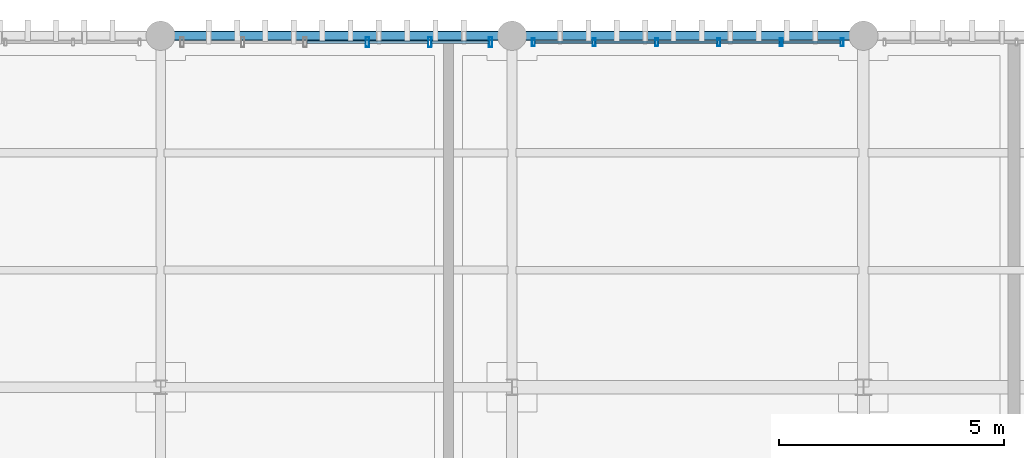
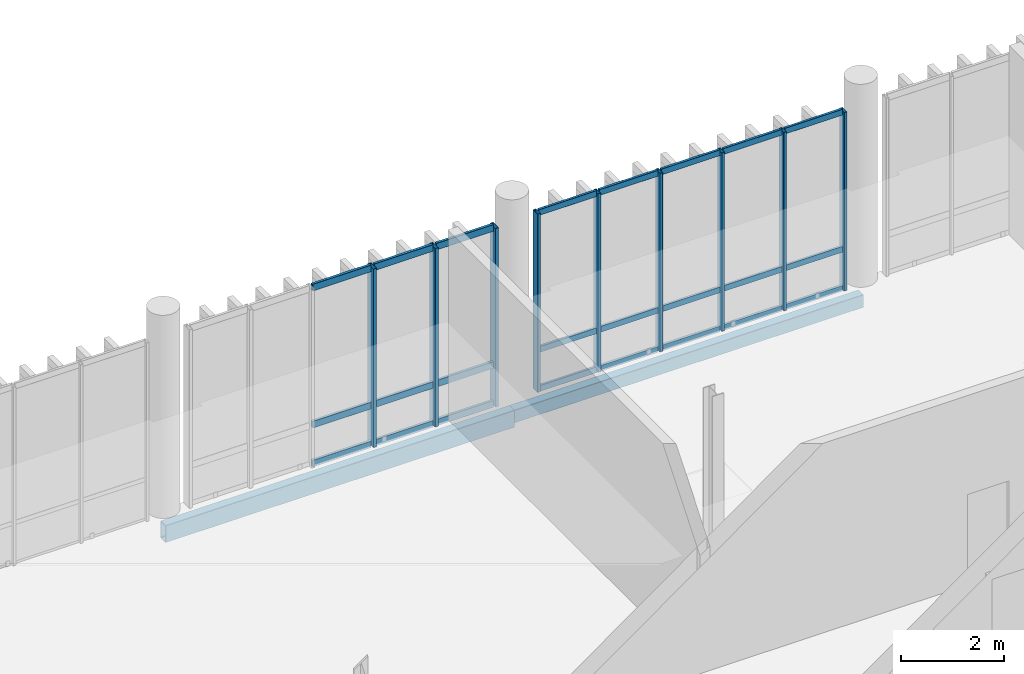
# One storey, part 56 of 86: 33 members, 2 beams, 2 elements without a shape of their own.
"""IFC4 building model written with IfcOpenShell, lengths in metres."""

import ifcopenshell
import ifcopenshell.guid

model = None  # the IFC model being written
_history = None  # IfcOwnerHistory: only IFC2X3 demands one
_inside = {}  # id of a spatial element -> (the spatial element, [elements in it])
_under = {}  # id of a project, library or spatial element -> (it, [spatial elements below it])
_declared = {}  # id of a project -> (the project, [libraries it declares])
_typed = {}  # id of a type object -> (the type object, [elements of that type])
_made_of = {}  # id of a material, layer set ... -> (it, [elements and type objects made of it])


def new_model(schema):
    """Start an empty IFC model of exactly this schema.

    Asked for "IFC4X3", IfcOpenShell would pick the latest addendum, in which some entities
    have other attributes; the version numbers below select the first issue.
    IFC2X3 requires an IfcOwnerHistory on every rooted entity: one is made here for all.
    """
    global model, _history
    if schema == "IFC4X3":
        model = ifcopenshell.file(schema_version=(4, 3, 0, 0))
    else:
        model = ifcopenshell.file(schema=schema)
    _inside.clear()
    _under.clear()
    _declared.clear()
    _typed.clear()
    _made_of.clear()
    _history = None
    if model.schema == "IFC2X3":
        org = make("IfcOrganization", Name="unknown")
        user = make(
            "IfcPersonAndOrganization",
            ThePerson=make("IfcPerson", FamilyName="unknown"),
            TheOrganization=org,
        )
        app = make(
            "IfcApplication",
            ApplicationDeveloper=org,
            Version="unknown",
            ApplicationFullName="unknown",
            ApplicationIdentifier="unknown",
        )
        _history = make(
            "IfcOwnerHistory",
            OwningUser=user,
            OwningApplication=app,
            ChangeAction="ADDED",
            CreationDate=0,
        )
    return model


def make(cls, **values):
    """One entity of the class cls with the attributes given. An attribute that is None is left unset."""
    return model.create_entity(
        cls, **{name: value for name, value in values.items() if value is not None}
    )


def rooted(cls, **values):
    """An entity with a GlobalId (a new one), such as an element, a storey or a relation."""
    return make(cls, GlobalId=ifcopenshell.guid.new(), OwnerHistory=_history, **values)


def si_unit(unit_type, name, prefix=None):
    """IfcSIUnit, for example si_unit("LENGTHUNIT", "METRE", prefix="MILLI")."""
    return make("IfcSIUnit", UnitType=unit_type, Prefix=prefix, Name=name)


def assignment(units):
    """IfcUnitAssignment: the units of a project."""
    return None if units is None else make("IfcUnitAssignment", Units=units)


def point(xyz):
    """IfcCartesianPoint."""
    return None if xyz is None else make("IfcCartesianPoint", Coordinates=xyz)


def direction(xyz):
    """IfcDirection."""
    return None if xyz is None else make("IfcDirection", DirectionRatios=xyz)


def frame(location, z_axis=None, x_axis=None):
    """IfcAxis2Placement3D, a coordinate frame: its origin and axes. An axis left out is left unset."""
    return make(
        "IfcAxis2Placement3D",
        Location=point(location),
        Axis=direction(z_axis),
        RefDirection=direction(x_axis),
    )


def frame_2d(location, x_axis=None):
    """IfcAxis2Placement2D, a coordinate frame in the plane: its origin and x axis."""
    return make(
        "IfcAxis2Placement2D", Location=point(location), RefDirection=direction(x_axis)
    )


def origin_with_axes():
    """The frame at (0, 0, 0) with the z axis (0, 0, 1) and the x axis (1, 0, 0) written out."""
    return frame((0.0, 0.0, 0.0), z_axis=(0.0, 0.0, 1.0), x_axis=(1.0, 0.0, 0.0))


def origin_2d_with_axis():
    """The frame at (0, 0) in the plane with the x axis (1, 0) written out."""
    return frame_2d((0.0, 0.0), x_axis=(1.0, 0.0))


def place(relative_to, where):
    """IfcLocalPlacement: puts the frame where relative to a parent placement (None: the world)."""
    return make(
        "IfcLocalPlacement", PlacementRelTo=relative_to, RelativePlacement=where
    )


def context(
    kind, dimensions, precision=None, world=None, true_north=None, identifier=None
):
    """IfcGeometricRepresentationContext, for example the 3D "Model" context."""
    return make(
        "IfcGeometricRepresentationContext",
        ContextIdentifier=identifier,
        ContextType=kind,
        CoordinateSpaceDimension=dimensions,
        Precision=precision,
        WorldCoordinateSystem=world,
        TrueNorth=true_north,
    )


def subcontext(parent, identifier, kind, view, scale=None):
    """IfcGeometricRepresentationSubContext, for example "Body" below "Model"."""
    return make(
        "IfcGeometricRepresentationSubContext",
        ContextIdentifier=identifier,
        ContextType=kind,
        ParentContext=parent,
        TargetScale=scale,
        TargetView=view,
    )


def project(units=None, contexts=None):
    """IfcProject with its units and contexts."""
    return rooted(
        "IfcProject",
        Name="project",
        RepresentationContexts=contexts,
        UnitsInContext=assignment(units),
    )


def spatial(cls, under=None, at=None, **own):
    """A site, building, storey or space (cls), placed at a placement, below another one or the project."""
    s = rooted(cls, ObjectPlacement=at, **own)
    if under is not None:
        _under.setdefault(under.id(), (under, []))[1].append(s)
    return s


def profile(cls, at=None, kind="AREA", **sizes):
    """A parametric profile (cls). Its sizes go by their IFC names, for example OverallWidth=200.0."""
    return make(cls, ProfileType=kind, Position=at, **sizes)


def hollow_rectangle(**sizes):
    """IfcRectangleHollowProfileDef."""
    return profile("IfcRectangleHollowProfileDef", **sizes)


def extrude(swept, where, along, depth):
    """IfcExtrudedAreaSolid: the profile swept, set in the frame where, extruded along a direction by depth."""
    return make(
        "IfcExtrudedAreaSolid",
        SweptArea=swept,
        Position=where,
        ExtrudedDirection=direction(along),
        Depth=depth,
    )


def shape(context_of_items, identifier, shape_type, items):
    """IfcShapeRepresentation: the items that make up one representation, for example the "Body"."""
    return make(
        "IfcShapeRepresentation",
        ContextOfItems=context_of_items,
        RepresentationIdentifier=identifier,
        RepresentationType=shape_type,
        Items=items,
    )


def material(Name=None, Category=None):
    """IfcMaterial."""
    return make("IfcMaterial", Name=Name, Category=Category)


def material_profile(
    of_material, cross_section, Name=None, Category=None, Priority=None
):
    """IfcMaterialProfile: a cross section and its material."""
    return make(
        "IfcMaterialProfile",
        Name=Name,
        Material=of_material,
        Profile=cross_section,
        Priority=Priority,
        Category=Category,
    )


def profile_set(profiles, Name=None, composite=None):
    """IfcMaterialProfileSet."""
    return make(
        "IfcMaterialProfileSet",
        Name=Name,
        MaterialProfiles=profiles,
        CompositeProfile=composite,
    )


def made_of(thing, what):
    """Note that an element or type object is made of a material, layer set ...; save() writes the relation."""
    if what is not None:
        _made_of.setdefault(what.id(), (what, []))[1].append(thing)
    return thing


def type_object(cls, material=None, **own):
    """A type object (cls), such as IfcWallType, which elements share."""
    return made_of(rooted(cls, **own), material)


def element(
    cls,
    number,
    at=None,
    inside=None,
    cuts=None,
    type_object=None,
    material=None,
    context=None,
    identifier="Body",
    shape_type=None,
    held_by="IfcProductDefinitionShape",
    body=None,
    shapes=None,
    **own,
):
    """One element of the class cls, such as IfcWall. Its Tag is "e" and its number.

    at: its placement. inside: the storey or other place that contains it. cuts: it is an
    opening in that element (IfcRelVoidsElement). A single representation is given by context,
    identifier, shape_type and body (its items); several are given by shapes. held_by: the class
    of the entity that holds the representations. save() writes the other relations.
    """
    e = rooted(cls, Tag="e%d" % number, ObjectPlacement=at, **own)
    if body is not None:
        shapes = [shape(context, identifier, shape_type, body)]
    if shapes is not None:
        e.Representation = make(held_by, Representations=shapes)
    if inside is not None:
        _inside.setdefault(inside.id(), (inside, []))[1].append(e)
    if cuts is not None:
        rooted(
            "IfcRelVoidsElement", RelatingBuildingElement=cuts, RelatedOpeningElement=e
        )
    if type_object is not None:
        _typed.setdefault(type_object.id(), (type_object, []))[1].append(e)
    return made_of(e, material)


def aggregate(whole, parts):
    """IfcRelAggregates: a whole, such as a stair, and the parts it consists of."""
    return rooted("IfcRelAggregates", RelatingObject=whole, RelatedObjects=parts)


def save(model, path):
    """Write the relations noted so far, then the file.

    IfcRelAggregates (storeys below a building ...), IfcRelContainedInSpatialStructure (elements
    in a storey), IfcRelDefinesByType, IfcRelAssociatesMaterial and IfcRelDeclares: one each for
    every whole, place, type object, material and project.
    """
    for whole, parts in _under.values():
        aggregate(whole, parts)
    for where, things in _inside.values():
        rooted(
            "IfcRelContainedInSpatialStructure",
            RelatedElements=things,
            RelatingStructure=where,
        )
    for kind, things in _typed.values():
        rooted("IfcRelDefinesByType", RelatedObjects=things, RelatingType=kind)
    for what, things in _made_of.values():
        rooted("IfcRelAssociatesMaterial", RelatedObjects=things, RelatingMaterial=what)
    for by, libraries in _declared.values():
        rooted("IfcRelDeclares", RelatingContext=by, RelatedDefinitions=libraries)
    model.write(path)


model = new_model("IFC4")

# Units and contexts
model_context = context("Model", 3, precision=1e-05, world=origin_with_axes(), true_north=direction((0.0, 1.0)))
body_context = subcontext(model_context, "Body", "Model", "MODEL_VIEW")
ifc_project = project(units=[si_unit("LENGTHUNIT", "METRE"), si_unit("AREAUNIT", "SQUARE_METRE"), si_unit("VOLUMEUNIT", "CUBIC_METRE"), si_unit("PLANEANGLEUNIT", "RADIAN"), si_unit("MASSUNIT", "GRAM", prefix="KILO"), si_unit("THERMODYNAMICTEMPERATUREUNIT", "KELVIN")], contexts=[model_context])

# Site, building, storey
site_placement = place(None, origin_with_axes())
site = spatial("IfcSite", under=ifc_project, at=site_placement, CompositionType="ELEMENT")
building_placement = place(site_placement, origin_with_axes())
building = spatial("IfcBuilding", under=site, at=building_placement, Name="Montbau Bow Law Courts", CompositionType="ELEMENT")
storey_placement = place(building_placement, frame((0.0, 0.0, 29.7), z_axis=(0.0, 0.0, 1.0), x_axis=(1.0, 0.0, 0.0)))
storey = spatial("IfcBuildingStorey", under=building, at=storey_placement, Name="L06", CompositionType="ELEMENT", Elevation=29.7)

# Beams
ifc_material_1 = material(Name="Steel CSA G40.21 Grade 350WT (350 MPa)", Category="steel")
ifc_material_profile_1 = material_profile(ifc_material_1, hollow_rectangle(XDim=0.203, YDim=0.406, WallThickness=0.0127, InnerFilletRadius=0.0254, OuterFilletRadius=0.0127, at=origin_2d_with_axis()), Name="HSS406X203X13", Category="Main", Priority=0)
ifc_profile_set_1 = profile_set([ifc_material_profile_1], Name="Steel CSA G40.21 Grade 350WT (350 MPa)")
beam_type_1 = type_object("IfcBeamType", Name="B-SPN-01", PredefinedType="SPANDREL", material=ifc_profile_set_1)
beam_1_placement = place(None, frame((147.0, 111.0, 29.157), z_axis=(1.0, 0.0, 0.0), x_axis=(0.0, 1.0, 0.0)))
element("IfcBeam", 1, at=beam_1_placement, inside=storey, type_object=beam_type_1, Name="SPN-L06-S1315:bm2_1318", PredefinedType="SPANDREL", context=body_context, shape_type="SweptSolid", body=[
    extrude(hollow_rectangle(XDim=0.203, YDim=0.406, WallThickness=0.0127, InnerFilletRadius=0.0254, OuterFilletRadius=0.0127, at=origin_2d_with_axis()), origin_with_axes(), (0.0, 0.0, 1.0), 7.8),
])
ifc_material_profile_2 = material_profile(ifc_material_1, hollow_rectangle(XDim=0.203, YDim=0.305, WallThickness=0.0127, InnerFilletRadius=0.0254, OuterFilletRadius=0.0127, at=origin_2d_with_axis()), Name="HSS305X203X13", Category="Main", Priority=0)
ifc_profile_set_2 = profile_set([ifc_material_profile_2], Name="Steel CSA G40.21 Grade 350WT (350 MPa)")
beam_type_2 = type_object("IfcBeamType", Name="B-SPN-02", PredefinedType="SPANDREL", material=ifc_profile_set_2)
beam_2_placement = place(None, frame((154.8, 111.0, 29.207), z_axis=(1.0, 0.0, 0.0), x_axis=(0.0, 1.0, 0.0)))
element("IfcBeam", 2, at=beam_2_placement, inside=storey, type_object=beam_type_2, Name="SPN-L06-S1316:bm2_1319", PredefinedType="SPANDREL", context=body_context, shape_type="SweptSolid", body=[
    extrude(hollow_rectangle(XDim=0.203, YDim=0.305, WallThickness=0.0127, InnerFilletRadius=0.0254, OuterFilletRadius=0.0127, at=origin_2d_with_axis()), origin_with_axes(), (0.0, 0.0, 1.0), 7.8),
])

# Curtain wall, members
ifc_material_2 = material(Name="Thermally Broken Extruded Aluminium AA 6063-T6", Category="aluminium")
curtain_wall_type = type_object("IfcCurtainWallType", Name="CW-SLT-02", PredefinedType="NOTDEFINED", material=ifc_material_2)
curtain_wall_1_placement = place(None, frame((147.44, 110.86, 29.7), z_axis=(0.0, 0.0, 1.0), x_axis=(1.0, 0.0, 0.0)))
curtain_wall_1 = element("IfcCurtainWall", 3, at=curtain_wall_1_placement, inside=storey, type_object=curtain_wall_type, Name="CW-L06-354:cw_0354", PredefinedType="NOTDEFINED")
ifc_material_profile_3 = material_profile(ifc_material_2, hollow_rectangle(XDim=0.075, YDim=0.22, WallThickness=0.005, InnerFilletRadius=0.01, OuterFilletRadius=0.005, at=origin_2d_with_axis()), Name="CWM-220X75", Category="Main", Priority=0)
ifc_profile_set_3 = profile_set([ifc_material_profile_3], Name="Thermally Broken Extruded Aluminium AA 6063-T6")
member_type_1 = type_object("IfcMemberType", Name="M-MUL-01", PredefinedType="MULLION", material=ifc_profile_set_3)
member_1_placement = place(None, frame((151.592, 110.86, 29.7), z_axis=(0.0, 0.0, 1.0), x_axis=(1.0, 0.0, 0.0)))
member_1 = element("IfcMember", 4, at=member_1_placement, type_object=member_type_1, Name="CW-L06-354-M04:cw_0354_M04", PredefinedType="MULLION", context=body_context, shape_type="SweptSolid", body=[
    extrude(hollow_rectangle(XDim=0.075, YDim=0.22, WallThickness=0.005, InnerFilletRadius=0.01, OuterFilletRadius=0.005, at=origin_2d_with_axis()), origin_with_axes(), (0.0, 0.0, 1.0), 4.22),
])
member_2_placement = place(None, frame((152.976, 110.86, 29.7), z_axis=(0.0, 0.0, 1.0), x_axis=(1.0, 0.0, 0.0)))
member_2 = element("IfcMember", 5, at=member_2_placement, type_object=member_type_1, Name="CW-L06-354-M05:cw_0354_M05", PredefinedType="MULLION", context=body_context, shape_type="SweptSolid", body=[
    extrude(hollow_rectangle(XDim=0.075, YDim=0.22, WallThickness=0.005, InnerFilletRadius=0.01, OuterFilletRadius=0.005, at=origin_2d_with_axis()), origin_with_axes(), (0.0, 0.0, 1.0), 4.22),
])
member_3_placement = place(None, frame((154.323, 110.86, 29.7), z_axis=(0.0, 0.0, 1.0), x_axis=(1.0, 0.0, 0.0)))
member_3 = element("IfcMember", 6, at=member_3_placement, type_object=member_type_1, Name="CW-L06-354-M06:cw_0354_M06", PredefinedType="MULLION", context=body_context, shape_type="SweptSolid", body=[
    extrude(hollow_rectangle(XDim=0.075, YDim=0.22, WallThickness=0.005, InnerFilletRadius=0.01, OuterFilletRadius=0.005, at=origin_2d_with_axis()), origin_with_axes(), (0.0, 0.0, 1.0), 4.22),
])

curtain_wall_2_placement = place(None, frame((155.24, 110.86, 29.7), z_axis=(0.0, 0.0, 1.0), x_axis=(1.0, 0.0, 0.0)))
curtain_wall_2 = element("IfcCurtainWall", 7, at=curtain_wall_2_placement, inside=storey, type_object=curtain_wall_type, Name="CW-L06-355:cw_0355", PredefinedType="NOTDEFINED")
ifc_material_profile_4 = material_profile(ifc_material_2, hollow_rectangle(XDim=0.065, YDim=0.18, WallThickness=0.005, InnerFilletRadius=0.01, OuterFilletRadius=0.005, at=origin_2d_with_axis()), Name="CWM-180X65", Category="Main", Priority=0)
ifc_profile_set_4 = profile_set([ifc_material_profile_4], Name="Thermally Broken Extruded Aluminium AA 6063-T6")
member_type_2 = type_object("IfcMemberType", Name="M-MUL-02", PredefinedType="MULLION", material=ifc_profile_set_4)
member_4_placement = place(None, frame((155.273, 110.86, 29.7), z_axis=(0.0, 0.0, 1.0), x_axis=(1.0, 0.0, 0.0)))
member_4 = element("IfcMember", 8, at=member_4_placement, type_object=member_type_2, Name="CW-L06-355-M01:cw_0355_M01", PredefinedType="MULLION", context=body_context, shape_type="SweptSolid", body=[
    extrude(hollow_rectangle(XDim=0.065, YDim=0.18, WallThickness=0.005, InnerFilletRadius=0.01, OuterFilletRadius=0.005, at=origin_2d_with_axis()), origin_with_axes(), (0.0, 0.0, 1.0), 4.22),
])
member_5_placement = place(None, frame((156.624, 110.86, 29.7), z_axis=(0.0, 0.0, 1.0), x_axis=(1.0, 0.0, 0.0)))
member_5 = element("IfcMember", 9, at=member_5_placement, type_object=member_type_2, Name="CW-L06-355-M02:cw_0355_M02", PredefinedType="MULLION", context=body_context, shape_type="SweptSolid", body=[
    extrude(hollow_rectangle(XDim=0.065, YDim=0.18, WallThickness=0.005, InnerFilletRadius=0.01, OuterFilletRadius=0.005, at=origin_2d_with_axis()), origin_with_axes(), (0.0, 0.0, 1.0), 4.22),
])
member_6_placement = place(None, frame((158.008, 110.86, 29.7), z_axis=(0.0, 0.0, 1.0), x_axis=(1.0, 0.0, 0.0)))
member_6 = element("IfcMember", 10, at=member_6_placement, type_object=member_type_2, Name="CW-L06-355-M03:cw_0355_M03", PredefinedType="MULLION", context=body_context, shape_type="SweptSolid", body=[
    extrude(hollow_rectangle(XDim=0.065, YDim=0.18, WallThickness=0.005, InnerFilletRadius=0.01, OuterFilletRadius=0.005, at=origin_2d_with_axis()), origin_with_axes(), (0.0, 0.0, 1.0), 4.22),
])
member_7_placement = place(None, frame((159.392, 110.86, 29.7), z_axis=(0.0, 0.0, 1.0), x_axis=(1.0, 0.0, 0.0)))
member_7 = element("IfcMember", 11, at=member_7_placement, type_object=member_type_2, Name="CW-L06-355-M04:cw_0355_M04", PredefinedType="MULLION", context=body_context, shape_type="SweptSolid", body=[
    extrude(hollow_rectangle(XDim=0.065, YDim=0.18, WallThickness=0.005, InnerFilletRadius=0.01, OuterFilletRadius=0.005, at=origin_2d_with_axis()), origin_with_axes(), (0.0, 0.0, 1.0), 4.22),
])
member_8_placement = place(None, frame((160.776, 110.86, 29.7), z_axis=(0.0, 0.0, 1.0), x_axis=(1.0, 0.0, 0.0)))
member_8 = element("IfcMember", 12, at=member_8_placement, type_object=member_type_2, Name="CW-L06-355-M05:cw_0355_M05", PredefinedType="MULLION", context=body_context, shape_type="SweptSolid", body=[
    extrude(hollow_rectangle(XDim=0.065, YDim=0.18, WallThickness=0.005, InnerFilletRadius=0.01, OuterFilletRadius=0.005, at=origin_2d_with_axis()), origin_with_axes(), (0.0, 0.0, 1.0), 4.22),
])
member_9_placement = place(None, frame((162.127, 110.86, 29.7), z_axis=(0.0, 0.0, 1.0), x_axis=(1.0, 0.0, 0.0)))
member_9 = element("IfcMember", 13, at=member_9_placement, type_object=member_type_2, Name="CW-L06-355-M06:cw_0355_M06", PredefinedType="MULLION", context=body_context, shape_type="SweptSolid", body=[
    extrude(hollow_rectangle(XDim=0.065, YDim=0.18, WallThickness=0.005, InnerFilletRadius=0.01, OuterFilletRadius=0.005, at=origin_2d_with_axis()), origin_with_axes(), (0.0, 0.0, 1.0), 4.22),
])

# Member
ifc_material_profile_5 = material_profile(ifc_material_2, hollow_rectangle(XDim=0.06, YDim=0.16, WallThickness=0.004, InnerFilletRadius=0.008, OuterFilletRadius=0.004, at=origin_2d_with_axis()), Name="CWT-160X60", Category="Main", Priority=0)
ifc_profile_set_5 = profile_set([ifc_material_profile_5], Name="Thermally Broken Extruded Aluminium AA 6063-T6")
member_type_3 = type_object("IfcMemberType", Name="M-TRN-01", PredefinedType="USERDEFINED", material=ifc_profile_set_5)
member_10_placement = place(None, frame((150.247, 110.86, 29.73), z_axis=(1.0, 0.0, 0.0), x_axis=(0.0, 1.0, 0.0)))
member_10 = element("IfcMember", 14, at=member_10_placement, type_object=member_type_3, Name="CW-L06-354-T03-1:cw_0354_T03_1", ObjectType="TRANSOM", PredefinedType="USERDEFINED", context=body_context, shape_type="SweptSolid", body=[
    extrude(hollow_rectangle(XDim=0.06, YDim=0.16, WallThickness=0.004, InnerFilletRadius=0.008, OuterFilletRadius=0.004, at=origin_2d_with_axis()), origin_with_axes(), (0.0, 0.0, 1.0), 1.306),
])

member_11_placement = place(None, frame((150.247, 110.86, 30.65), z_axis=(1.0, 0.0, 0.0), x_axis=(0.0, 1.0, 0.0)))
member_11 = element("IfcMember", 15, at=member_11_placement, type_object=member_type_3, Name="CW-L06-354-T03-2:cw_0354_T03_2", ObjectType="TRANSOM", PredefinedType="USERDEFINED", context=body_context, shape_type="SweptSolid", body=[
    extrude(hollow_rectangle(XDim=0.06, YDim=0.16, WallThickness=0.004, InnerFilletRadius=0.008, OuterFilletRadius=0.004, at=origin_2d_with_axis()), origin_with_axes(), (0.0, 0.0, 1.0), 1.306),
])

member_12_placement = place(None, frame((150.247, 110.86, 33.89), z_axis=(1.0, 0.0, 0.0), x_axis=(0.0, 1.0, 0.0)))
member_12 = element("IfcMember", 16, at=member_12_placement, type_object=member_type_3, Name="CW-L06-354-T03-3:cw_0354_T03_3", ObjectType="TRANSOM", PredefinedType="USERDEFINED", context=body_context, shape_type="SweptSolid", body=[
    extrude(hollow_rectangle(XDim=0.06, YDim=0.16, WallThickness=0.004, InnerFilletRadius=0.008, OuterFilletRadius=0.004, at=origin_2d_with_axis()), origin_with_axes(), (0.0, 0.0, 1.0), 1.306),
])

member_13_placement = place(None, frame((151.631, 110.86, 29.73), z_axis=(1.0, 0.0, 0.0), x_axis=(0.0, 1.0, 0.0)))
member_13 = element("IfcMember", 17, at=member_13_placement, type_object=member_type_3, Name="CW-L06-354-T04-1:cw_0354_T04_1", ObjectType="TRANSOM", PredefinedType="USERDEFINED", context=body_context, shape_type="SweptSolid", body=[
    extrude(hollow_rectangle(XDim=0.06, YDim=0.16, WallThickness=0.004, InnerFilletRadius=0.008, OuterFilletRadius=0.004, at=origin_2d_with_axis()), origin_with_axes(), (0.0, 0.0, 1.0), 1.306),
])

member_14_placement = place(None, frame((151.631, 110.86, 30.65), z_axis=(1.0, 0.0, 0.0), x_axis=(0.0, 1.0, 0.0)))
member_14 = element("IfcMember", 18, at=member_14_placement, type_object=member_type_3, Name="CW-L06-354-T04-2:cw_0354_T04_2", ObjectType="TRANSOM", PredefinedType="USERDEFINED", context=body_context, shape_type="SweptSolid", body=[
    extrude(hollow_rectangle(XDim=0.06, YDim=0.16, WallThickness=0.004, InnerFilletRadius=0.008, OuterFilletRadius=0.004, at=origin_2d_with_axis()), origin_with_axes(), (0.0, 0.0, 1.0), 1.306),
])

member_15_placement = place(None, frame((151.631, 110.86, 33.89), z_axis=(1.0, 0.0, 0.0), x_axis=(0.0, 1.0, 0.0)))
member_15 = element("IfcMember", 19, at=member_15_placement, type_object=member_type_3, Name="CW-L06-354-T04-3:cw_0354_T04_3", ObjectType="TRANSOM", PredefinedType="USERDEFINED", context=body_context, shape_type="SweptSolid", body=[
    extrude(hollow_rectangle(XDim=0.06, YDim=0.16, WallThickness=0.004, InnerFilletRadius=0.008, OuterFilletRadius=0.004, at=origin_2d_with_axis()), origin_with_axes(), (0.0, 0.0, 1.0), 1.306),
])

member_16_placement = place(None, frame((153.015, 110.86, 29.73), z_axis=(1.0, 0.0, 0.0), x_axis=(0.0, 1.0, 0.0)))
member_16 = element("IfcMember", 20, at=member_16_placement, type_object=member_type_3, Name="CW-L06-354-T05-1:cw_0354_T05_1", ObjectType="TRANSOM", PredefinedType="USERDEFINED", context=body_context, shape_type="SweptSolid", body=[
    extrude(hollow_rectangle(XDim=0.06, YDim=0.16, WallThickness=0.004, InnerFilletRadius=0.008, OuterFilletRadius=0.004, at=origin_2d_with_axis()), origin_with_axes(), (0.0, 0.0, 1.0), 1.269),
])

member_17_placement = place(None, frame((153.015, 110.86, 30.65), z_axis=(1.0, 0.0, 0.0), x_axis=(0.0, 1.0, 0.0)))
member_17 = element("IfcMember", 21, at=member_17_placement, type_object=member_type_3, Name="CW-L06-354-T05-2:cw_0354_T05_2", ObjectType="TRANSOM", PredefinedType="USERDEFINED", context=body_context, shape_type="SweptSolid", body=[
    extrude(hollow_rectangle(XDim=0.06, YDim=0.16, WallThickness=0.004, InnerFilletRadius=0.008, OuterFilletRadius=0.004, at=origin_2d_with_axis()), origin_with_axes(), (0.0, 0.0, 1.0), 1.269),
])

member_18_placement = place(None, frame((153.015, 110.86, 33.89), z_axis=(1.0, 0.0, 0.0), x_axis=(0.0, 1.0, 0.0)))
member_18 = element("IfcMember", 22, at=member_18_placement, type_object=member_type_3, Name="CW-L06-354-T05-3:cw_0354_T05_3", ObjectType="TRANSOM", PredefinedType="USERDEFINED", context=body_context, shape_type="SweptSolid", body=[
    extrude(hollow_rectangle(XDim=0.06, YDim=0.16, WallThickness=0.004, InnerFilletRadius=0.008, OuterFilletRadius=0.004, at=origin_2d_with_axis()), origin_with_axes(), (0.0, 0.0, 1.0), 1.269),
])

aggregate(curtain_wall_1, [member_1, member_2, member_3, member_10, member_11, member_12, member_13, member_14, member_15, member_16, member_17, member_18])

ifc_material_profile_6 = material_profile(ifc_material_2, hollow_rectangle(XDim=0.055, YDim=0.14, WallThickness=0.004, InnerFilletRadius=0.008, OuterFilletRadius=0.004, at=origin_2d_with_axis()), Name="CWT-140X55", Category="Main", Priority=0)
ifc_profile_set_6 = profile_set([ifc_material_profile_6], Name="Thermally Broken Extruded Aluminium AA 6063-T6")
member_type_4 = type_object("IfcMemberType", Name="M-TRN-02", PredefinedType="USERDEFINED", material=ifc_profile_set_6)
member_19_placement = place(None, frame((155.308, 110.86, 29.727), z_axis=(1.0, 0.0, 0.0), x_axis=(0.0, 1.0, 0.0)))
member_19 = element("IfcMember", 23, at=member_19_placement, type_object=member_type_4, Name="CW-L06-355-T01-1:cw_0355_T01_1", ObjectType="TRANSOM", PredefinedType="USERDEFINED", context=body_context, shape_type="SweptSolid", body=[
    extrude(hollow_rectangle(XDim=0.055, YDim=0.14, WallThickness=0.004, InnerFilletRadius=0.008, OuterFilletRadius=0.004, at=origin_2d_with_axis()), origin_with_axes(), (0.0, 0.0, 1.0), 1.281),
])

member_20_placement = place(None, frame((155.308, 110.86, 30.65), z_axis=(1.0, 0.0, 0.0), x_axis=(0.0, 1.0, 0.0)))
member_20 = element("IfcMember", 24, at=member_20_placement, type_object=member_type_4, Name="CW-L06-355-T01-2:cw_0355_T01_2", ObjectType="TRANSOM", PredefinedType="USERDEFINED", context=body_context, shape_type="SweptSolid", body=[
    extrude(hollow_rectangle(XDim=0.055, YDim=0.14, WallThickness=0.004, InnerFilletRadius=0.008, OuterFilletRadius=0.004, at=origin_2d_with_axis()), origin_with_axes(), (0.0, 0.0, 1.0), 1.281),
])

member_21_placement = place(None, frame((155.308, 110.86, 33.892), z_axis=(1.0, 0.0, 0.0), x_axis=(0.0, 1.0, 0.0)))
member_21 = element("IfcMember", 25, at=member_21_placement, type_object=member_type_4, Name="CW-L06-355-T01-3:cw_0355_T01_3", ObjectType="TRANSOM", PredefinedType="USERDEFINED", context=body_context, shape_type="SweptSolid", body=[
    extrude(hollow_rectangle(XDim=0.055, YDim=0.14, WallThickness=0.004, InnerFilletRadius=0.008, OuterFilletRadius=0.004, at=origin_2d_with_axis()), origin_with_axes(), (0.0, 0.0, 1.0), 1.281),
])

member_22_placement = place(None, frame((156.658, 110.86, 29.727), z_axis=(1.0, 0.0, 0.0), x_axis=(0.0, 1.0, 0.0)))
member_22 = element("IfcMember", 26, at=member_22_placement, type_object=member_type_4, Name="CW-L06-355-T02-1:cw_0355_T02_1", ObjectType="TRANSOM", PredefinedType="USERDEFINED", context=body_context, shape_type="SweptSolid", body=[
    extrude(hollow_rectangle(XDim=0.055, YDim=0.14, WallThickness=0.004, InnerFilletRadius=0.008, OuterFilletRadius=0.004, at=origin_2d_with_axis()), origin_with_axes(), (0.0, 0.0, 1.0), 1.315),
])

member_23_placement = place(None, frame((156.658, 110.86, 30.65), z_axis=(1.0, 0.0, 0.0), x_axis=(0.0, 1.0, 0.0)))
member_23 = element("IfcMember", 27, at=member_23_placement, type_object=member_type_4, Name="CW-L06-355-T02-2:cw_0355_T02_2", ObjectType="TRANSOM", PredefinedType="USERDEFINED", context=body_context, shape_type="SweptSolid", body=[
    extrude(hollow_rectangle(XDim=0.055, YDim=0.14, WallThickness=0.004, InnerFilletRadius=0.008, OuterFilletRadius=0.004, at=origin_2d_with_axis()), origin_with_axes(), (0.0, 0.0, 1.0), 1.315),
])

member_24_placement = place(None, frame((156.658, 110.86, 33.892), z_axis=(1.0, 0.0, 0.0), x_axis=(0.0, 1.0, 0.0)))
member_24 = element("IfcMember", 28, at=member_24_placement, type_object=member_type_4, Name="CW-L06-355-T02-3:cw_0355_T02_3", ObjectType="TRANSOM", PredefinedType="USERDEFINED", context=body_context, shape_type="SweptSolid", body=[
    extrude(hollow_rectangle(XDim=0.055, YDim=0.14, WallThickness=0.004, InnerFilletRadius=0.008, OuterFilletRadius=0.004, at=origin_2d_with_axis()), origin_with_axes(), (0.0, 0.0, 1.0), 1.315),
])

member_25_placement = place(None, frame((158.042, 110.86, 29.727), z_axis=(1.0, 0.0, 0.0), x_axis=(0.0, 1.0, 0.0)))
member_25 = element("IfcMember", 29, at=member_25_placement, type_object=member_type_4, Name="CW-L06-355-T03-1:cw_0355_T03_1", ObjectType="TRANSOM", PredefinedType="USERDEFINED", context=body_context, shape_type="SweptSolid", body=[
    extrude(hollow_rectangle(XDim=0.055, YDim=0.14, WallThickness=0.004, InnerFilletRadius=0.008, OuterFilletRadius=0.004, at=origin_2d_with_axis()), origin_with_axes(), (0.0, 0.0, 1.0), 1.316),
])

member_26_placement = place(None, frame((158.042, 110.86, 30.65), z_axis=(1.0, 0.0, 0.0), x_axis=(0.0, 1.0, 0.0)))
member_26 = element("IfcMember", 30, at=member_26_placement, type_object=member_type_4, Name="CW-L06-355-T03-2:cw_0355_T03_2", ObjectType="TRANSOM", PredefinedType="USERDEFINED", context=body_context, shape_type="SweptSolid", body=[
    extrude(hollow_rectangle(XDim=0.055, YDim=0.14, WallThickness=0.004, InnerFilletRadius=0.008, OuterFilletRadius=0.004, at=origin_2d_with_axis()), origin_with_axes(), (0.0, 0.0, 1.0), 1.316),
])

member_27_placement = place(None, frame((158.042, 110.86, 33.892), z_axis=(1.0, 0.0, 0.0), x_axis=(0.0, 1.0, 0.0)))
member_27 = element("IfcMember", 31, at=member_27_placement, type_object=member_type_4, Name="CW-L06-355-T03-3:cw_0355_T03_3", ObjectType="TRANSOM", PredefinedType="USERDEFINED", context=body_context, shape_type="SweptSolid", body=[
    extrude(hollow_rectangle(XDim=0.055, YDim=0.14, WallThickness=0.004, InnerFilletRadius=0.008, OuterFilletRadius=0.004, at=origin_2d_with_axis()), origin_with_axes(), (0.0, 0.0, 1.0), 1.316),
])

member_28_placement = place(None, frame((159.426, 110.86, 29.727), z_axis=(1.0, 0.0, 0.0), x_axis=(0.0, 1.0, 0.0)))
member_28 = element("IfcMember", 32, at=member_28_placement, type_object=member_type_4, Name="CW-L06-355-T04-1:cw_0355_T04_1", ObjectType="TRANSOM", PredefinedType="USERDEFINED", context=body_context, shape_type="SweptSolid", body=[
    extrude(hollow_rectangle(XDim=0.055, YDim=0.14, WallThickness=0.004, InnerFilletRadius=0.008, OuterFilletRadius=0.004, at=origin_2d_with_axis()), origin_with_axes(), (0.0, 0.0, 1.0), 1.316),
])

member_29_placement = place(None, frame((159.426, 110.86, 30.65), z_axis=(1.0, 0.0, 0.0), x_axis=(0.0, 1.0, 0.0)))
member_29 = element("IfcMember", 33, at=member_29_placement, type_object=member_type_4, Name="CW-L06-355-T04-2:cw_0355_T04_2", ObjectType="TRANSOM", PredefinedType="USERDEFINED", context=body_context, shape_type="SweptSolid", body=[
    extrude(hollow_rectangle(XDim=0.055, YDim=0.14, WallThickness=0.004, InnerFilletRadius=0.008, OuterFilletRadius=0.004, at=origin_2d_with_axis()), origin_with_axes(), (0.0, 0.0, 1.0), 1.316),
])

member_30_placement = place(None, frame((159.426, 110.86, 33.892), z_axis=(1.0, 0.0, 0.0), x_axis=(0.0, 1.0, 0.0)))
member_30 = element("IfcMember", 34, at=member_30_placement, type_object=member_type_4, Name="CW-L06-355-T04-3:cw_0355_T04_3", ObjectType="TRANSOM", PredefinedType="USERDEFINED", context=body_context, shape_type="SweptSolid", body=[
    extrude(hollow_rectangle(XDim=0.055, YDim=0.14, WallThickness=0.004, InnerFilletRadius=0.008, OuterFilletRadius=0.004, at=origin_2d_with_axis()), origin_with_axes(), (0.0, 0.0, 1.0), 1.316),
])

member_31_placement = place(None, frame((160.81, 110.86, 29.727), z_axis=(1.0, 0.0, 0.0), x_axis=(0.0, 1.0, 0.0)))
member_31 = element("IfcMember", 35, at=member_31_placement, type_object=member_type_4, Name="CW-L06-355-T05-1:cw_0355_T05_1", ObjectType="TRANSOM", PredefinedType="USERDEFINED", context=body_context, shape_type="SweptSolid", body=[
    extrude(hollow_rectangle(XDim=0.055, YDim=0.14, WallThickness=0.004, InnerFilletRadius=0.008, OuterFilletRadius=0.004, at=origin_2d_with_axis()), origin_with_axes(), (0.0, 0.0, 1.0), 1.283),
])

member_32_placement = place(None, frame((160.81, 110.86, 30.65), z_axis=(1.0, 0.0, 0.0), x_axis=(0.0, 1.0, 0.0)))
member_32 = element("IfcMember", 36, at=member_32_placement, type_object=member_type_4, Name="CW-L06-355-T05-2:cw_0355_T05_2", ObjectType="TRANSOM", PredefinedType="USERDEFINED", context=body_context, shape_type="SweptSolid", body=[
    extrude(hollow_rectangle(XDim=0.055, YDim=0.14, WallThickness=0.004, InnerFilletRadius=0.008, OuterFilletRadius=0.004, at=origin_2d_with_axis()), origin_with_axes(), (0.0, 0.0, 1.0), 1.283),
])

member_33_placement = place(None, frame((160.81, 110.86, 33.892), z_axis=(1.0, 0.0, 0.0), x_axis=(0.0, 1.0, 0.0)))
member_33 = element("IfcMember", 37, at=member_33_placement, type_object=member_type_4, Name="CW-L06-355-T05-3:cw_0355_T05_3", ObjectType="TRANSOM", PredefinedType="USERDEFINED", context=body_context, shape_type="SweptSolid", body=[
    extrude(hollow_rectangle(XDim=0.055, YDim=0.14, WallThickness=0.004, InnerFilletRadius=0.008, OuterFilletRadius=0.004, at=origin_2d_with_axis()), origin_with_axes(), (0.0, 0.0, 1.0), 1.283),
])

aggregate(curtain_wall_2, [member_4, member_5, member_6, member_7, member_8, member_9, member_19, member_20, member_21, member_22, member_23, member_24, member_25, member_26, member_27, member_28, member_29, member_30, member_31, member_32, member_33])

save(model, "model.ifc")
